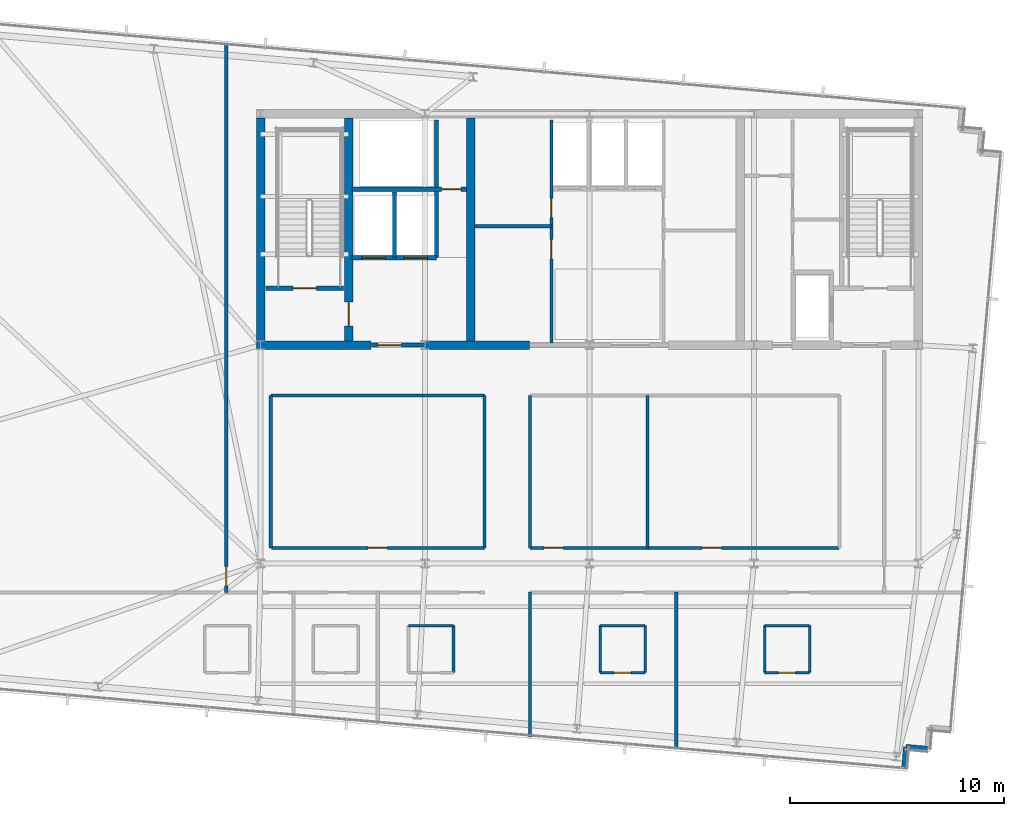
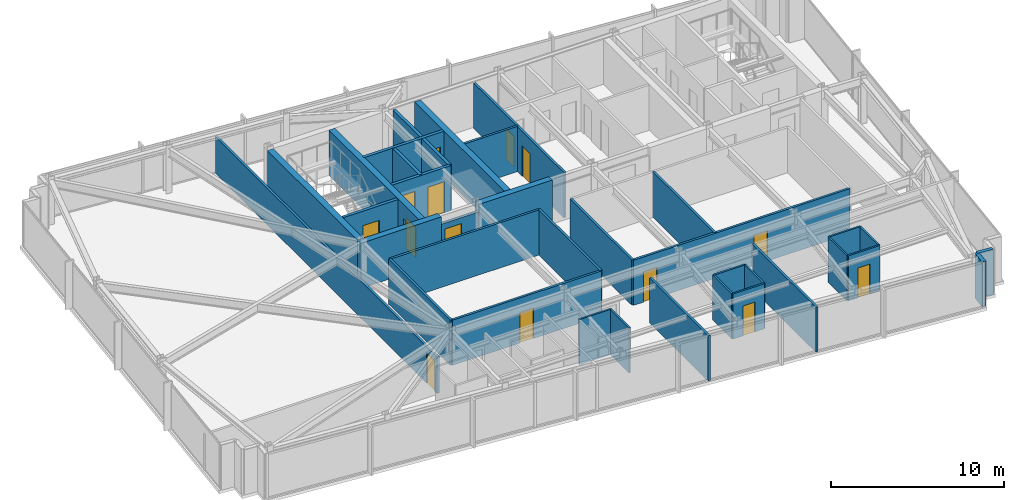
# One storey, part 27 of 33: 35 walls, 14 doors, 14 openings.
"""IFC4 building model written with IfcOpenShell, lengths in metres."""

from ifc_helpers import new_model, si_unit, direction, frame, frame_2d, origin, place, context, subcontext, project, spatial, rectangle, extrude, material, layer, layer_set, type_object, element, fill, save


model = new_model("IFC4")

# Units and contexts
model_context = context("Model", 3, precision=1e-05, world=origin(), true_north=direction((0.0, 1.0)))
body_context = subcontext(model_context, "Body", "Model", "MODEL_VIEW")
ifc_project = project(units=[si_unit("LENGTHUNIT", "METRE"), si_unit("AREAUNIT", "SQUARE_METRE"), si_unit("VOLUMEUNIT", "CUBIC_METRE"), si_unit("PLANEANGLEUNIT", "RADIAN"), si_unit("MASSUNIT", "GRAM", prefix="KILO")], contexts=[model_context])

# Site, building, storey
site_placement = place(None, origin())
site = spatial("IfcSite", under=ifc_project, at=site_placement, CompositionType="ELEMENT")
building_placement = place(site_placement, origin())
building = spatial("IfcBuilding", under=site, at=building_placement, Name="Yelkora Congress Tower", CompositionType="ELEMENT")
storey_placement = place(building_placement, frame((0.0, 0.0, 282.89990234375)))
storey = spatial("IfcBuildingStorey", under=building, at=storey_placement, Name="L79", CompositionType="ELEMENT", Elevation=282.89990234375)

# Walls
ifc_material_1 = material(Name="Concrete C50/60", Category="concrete")
ifc_layer_1 = layer(ifc_material_1, 0.39990234375)
ifc_layer_set_1 = layer_set([ifc_layer_1], Name="Concrete C50/60")
wall_type_1 = type_object("IfcWallType", Name="WALL-CORE-INT-400", PredefinedType="SHEAR", material=ifc_layer_set_1)
wall_1_placement = place(storey_placement, frame((22.840087890625, 35.39990234375, 0.0), z_axis=(0.0, 0.0, 1.0), x_axis=(1.0, 0.0, 0.0)))
element("IfcWall", 1, at=wall_1_placement, inside=storey, type_object=wall_type_1, Name="L79 Rear Core South-West Shear Wall", PredefinedType="SHEAR", context=body_context, shape_type="SweptSolid", body=[
    extrude(rectangle(XDim=5.35986328125, YDim=0.39990234375, at=frame_2d((2.679931640625, 0.0))), origin(), (0.0, 0.0, 1.0), 3.18017578125),
])
wall_2_placement = place(storey_placement, frame((30.719970703125, 35.39990234375, 0.0), z_axis=(0.0, 0.0, 1.0), x_axis=(1.0, 0.0, 0.0)))
element("IfcWall", 2, at=wall_2_placement, inside=storey, type_object=wall_type_1, Name="L79 Rear Core South-Center Shear Pier", PredefinedType="SHEAR", context=body_context, shape_type="SweptSolid", body=[
    extrude(rectangle(XDim=4.880126953125, YDim=0.39990234375, at=frame_2d((2.43994140625, 0.0))), origin(), (0.0, 0.0, 1.0), 3.18017578125),
])
wall_3_placement = place(storey_placement, frame((23.0400390625, 35.60009765625, 0.0), z_axis=(0.0, 0.0, 1.0), x_axis=(0.0, 1.0, 0.0)))
element("IfcWall", 3, at=wall_3_placement, inside=storey, type_object=wall_type_1, Name="L79 Rear Core Cross Shear Wall W", PredefinedType="SHEAR", context=body_context, shape_type="SweptSolid", body=[
    extrude(rectangle(XDim=10.39990234375, YDim=0.39990234375, at=frame_2d((5.199951171875, 0.0))), origin(), (0.0, 0.0, 1.0), 3.18017578125),
])

# Wall, opening, door
wall_4_placement = place(storey_placement, frame((27.14990234375, 35.60009765625, 0.0), z_axis=(0.0, 0.0, 1.0), x_axis=(0.0, 1.0, 0.0)))
wall_4 = element("IfcWall", 4, at=wall_4_placement, inside=storey, type_object=wall_type_1, Name="L79 Rear Core Cross Shear Wall C1", PredefinedType="SHEAR", context=body_context, shape_type="SweptSolid", body=[
    extrude(rectangle(XDim=10.39990234375, YDim=0.39990234375, at=frame_2d((5.199951171875, 0.0))), origin(), (0.0, 0.0, 1.0), 3.18017578125),
])
opening_1_placement = place(wall_4_placement, frame((0.699951171875, 0.0, 0.0)))
opening_1 = element("IfcOpeningElement", 5, at=opening_1_placement, cuts=wall_4, Name="Opening DR-110F9", PredefinedType="OPENING", context=body_context, shape_type="SweptSolid", body=[
    extrude(rectangle(XDim=1.10009765625, YDim=2.14990234375, at=frame_2d((0.550048828125, 1.074951171875))), frame((0.0, 0.2099609375, 0.0), z_axis=(0.0, -1.0, 0.0), x_axis=(1.0, 0.0, 0.0)), (0.0, 0.0, 1.0), 0.419921875),
])
ifc_material_2 = material(Name="Galvanised steel fire door leaf", Category="steel")
door_type_1 = type_object("IfcDoorType", Name="DOOR-FD90-1100", OperationType="NOTDEFINED", PredefinedType="DOOR", material=ifc_material_2)
door_1_placement = place(opening_1_placement, origin())
door_1 = element("IfcDoor", 6, at=door_1_placement, inside=storey, type_object=door_type_1, Name="L79 Firefighting Stair Transfer Door", OperationType="SINGLE_SWING_LEFT", OverallHeight=2.14990234375, OverallWidth=1.10009765625, PredefinedType="DOOR", context=body_context, shape_type="SweptSolid", body=[
    extrude(rectangle(XDim=1.10009765625, YDim=2.14990234375, at=frame_2d((0.550048828125, 1.074951171875))), frame((0.0, 0.02490234375, 0.0), z_axis=(0.0, -1.0, 0.0), x_axis=(1.0, 0.0, 0.0)), (0.0, 0.0, 1.0), 0.050048828125),
])
fill(opening_1, door_1)

# Walls
wall_5_placement = place(storey_placement, frame((32.85009765625, 35.60009765625, 0.0), z_axis=(0.0, 0.0, 1.0), x_axis=(0.0, 1.0, 0.0)))
element("IfcWall", 7, at=wall_5_placement, inside=storey, type_object=wall_type_1, Name="L79 Rear Core Cross Shear Wall C2", PredefinedType="SHEAR", context=body_context, shape_type="SweptSolid", body=[
    extrude(rectangle(XDim=10.39990234375, YDim=0.39990234375, at=frame_2d((5.199951171875, 0.0))), origin(), (0.0, 0.0, 1.0), 3.18017578125),
])
ifc_material_3 = material(Name="Concrete C40/50", Category="concrete")
ifc_layer_2 = layer(ifc_material_3, 0.239990234375)
ifc_layer_set_2 = layer_set([ifc_layer_2], Name="Concrete C40/50")
wall_type_2 = type_object("IfcWallType", Name="WALL-EXT-LIMESTONE-240", PredefinedType="SOLIDWALL", material=ifc_layer_set_2)
for number, where, z_axis, x_axis, name in (
    (8, (54.174560546875, 16.5498046875, 0.0), (0.0, 0.0, 1.0), (-0.996195572005, 0.087145753297, 0.0), "L79 Serrated Corner Limestone Pier 18"),
    (9, (53.17822265625, 16.636962890625, 0.0), (0.0, 0.0, 1.0), (-0.087145753297, -0.996195572005, 0.0), "L79 Serrated Corner Limestone Pier 19"),
):
    element("IfcWall", number, at=place(storey_placement, frame(where, z_axis=z_axis, x_axis=x_axis)), inside=storey, type_object=wall_type_2, Name=name, PredefinedType="SOLIDWALL", context=body_context, shape_type="SweptSolid", body=[
        extrude(rectangle(XDim=1.000244140625, YDim=0.239990234375, at=frame_2d((0.5, 0.0))), origin(), (0.0, 0.0, 1.0), 3.18017578125),
    ])
ifc_material_4 = material(Name="Moisture-resistant gypsum partition", Category="gypsum")
ifc_layer_3 = layer(ifc_material_4, 0.1201171875)
ifc_layer_set_3 = layer_set([ifc_layer_3], Name="Moisture-resistant gypsum partition")
wall_type_3 = type_object("IfcWallType", Name="WALL-INT-120-NR", PredefinedType="PARTITIONING", material=ifc_layer_set_3)
wall_6_placement = place(storey_placement, frame((29.949951171875, 22.300048828125, 0.0), z_axis=(0.0, 0.0, 1.0), x_axis=(1.0, 0.0, 0.0)))
element("IfcWall", 10, at=wall_6_placement, inside=storey, type_object=wall_type_3, Name="L79 Partition Wall 32", PredefinedType="PARTITIONING", context=body_context, shape_type="SweptSolid", body=[
    extrude(rectangle(XDim=2.10009765625, YDim=0.1201171875, at=frame_2d((1.050048828125, 0.0))), origin(), (0.0, 0.0, 1.0), 3.18017578125),
])
wall_7_placement = place(storey_placement, frame((32.050048828125, 20.10009765625, 0.0), z_axis=(0.0, 0.0, 1.0), x_axis=(0.0, 1.0, 0.0)))
element("IfcWall", 11, at=wall_7_placement, inside=storey, type_object=wall_type_3, Name="L79 Partition Wall 34", PredefinedType="PARTITIONING", context=body_context, shape_type="SweptSolid", body=[
    extrude(rectangle(XDim=2.199951171875, YDim=0.1201171875, at=frame_2d((1.10009765625, 0.0))), origin(), (0.0, 0.0, 1.0), 3.18017578125),
])
wall_8_placement = place(storey_placement, frame((38.89990234375, 22.300048828125, 0.0), z_axis=(0.0, 0.0, 1.0), x_axis=(1.0, 0.0, 0.0)))
element("IfcWall", 12, at=wall_8_placement, inside=storey, type_object=wall_type_3, Name="L79 Partition Wall 37", PredefinedType="PARTITIONING", context=body_context, shape_type="SweptSolid", body=[
    extrude(rectangle(XDim=2.10009765625, YDim=0.1201171875, at=frame_2d((1.050048828125, 0.0))), origin(), (0.0, 0.0, 1.0), 3.18017578125),
])
for number, where, z_axis, x_axis, name in (
    (13, (38.89990234375, 20.10009765625, 0.0), (0.0, 0.0, 1.0), (0.0, 1.0, 0.0), "L79 Partition Wall 38"),
    (14, (41.0, 20.10009765625, 0.0), (0.0, 0.0, 1.0), (0.0, 1.0, 0.0), "L79 Partition Wall 39"),
):
    element("IfcWall", number, at=place(storey_placement, frame(where, z_axis=z_axis, x_axis=x_axis)), inside=storey, type_object=wall_type_3, Name=name, PredefinedType="PARTITIONING", context=body_context, shape_type="SweptSolid", body=[
        extrude(rectangle(XDim=2.199951171875, YDim=0.1201171875, at=frame_2d((1.10009765625, 0.0))), origin(), (0.0, 0.0, 1.0), 3.18017578125),
    ])

# Wall, opening, door
wall_9_placement = place(storey_placement, frame((38.89990234375, 20.10009765625, 0.0), z_axis=(0.0, 0.0, 1.0), x_axis=(1.0, 0.0, 0.0)))
wall_9 = element("IfcWall", 15, at=wall_9_placement, inside=storey, type_object=wall_type_3, Name="L79 Partition Wall 40", PredefinedType="PARTITIONING", context=body_context, shape_type="SweptSolid", body=[
    extrude(rectangle(XDim=2.10009765625, YDim=0.1201171875, at=frame_2d((1.050048828125, 0.0))), origin(), (0.0, 0.0, 1.0), 3.18017578125),
])
opening_2_placement = place(wall_9_placement, frame((0.64990234375, 0.0, 0.0)))
opening_2 = element("IfcOpeningElement", 16, at=opening_2_placement, cuts=wall_9, Name="Opening DR-080B", PredefinedType="OPENING", context=body_context, shape_type="SweptSolid", body=[
    extrude(rectangle(XDim=0.800048828125, YDim=2.10009765625, at=frame_2d((0.39990234375, 1.050048828125))), frame((0.0, 0.070068359375, 0.0), z_axis=(0.0, -1.0, 0.0), x_axis=(1.0, 0.0, 0.0)), (0.0, 0.0, 1.0), 0.14013671875),
])
ifc_material_5 = material(Name="Moisture-sealed en-suite timber door", Category="wood")
door_type_2 = type_object("IfcDoorType", Name="DOOR-BATH-800", OperationType="NOTDEFINED", PredefinedType="DOOR", material=ifc_material_5)
door_2_placement = place(opening_2_placement, origin())
door_2 = element("IfcDoor", 17, at=door_2_placement, inside=storey, type_object=door_type_2, Name="L79 En-suite Door 5", OperationType="SINGLE_SWING_LEFT", OverallHeight=2.10009765625, OverallWidth=0.800048828125, PredefinedType="DOOR", context=body_context, shape_type="SweptSolid", body=[
    extrude(rectangle(XDim=0.800048828125, YDim=2.10009765625, at=frame_2d((0.39990234375, 1.050048828125))), frame((0.0, 0.02490234375, 0.0), z_axis=(0.0, -1.0, 0.0), x_axis=(1.0, 0.0, 0.0)), (0.0, 0.0, 1.0), 0.050048828125),
])
fill(opening_2, door_2)

# Walls
wall_10_placement = place(storey_placement, frame((46.580078125, 22.300048828125, 0.0), z_axis=(0.0, 0.0, 1.0), x_axis=(1.0, 0.0, 0.0)))
element("IfcWall", 18, at=wall_10_placement, inside=storey, type_object=wall_type_3, Name="L79 Partition Wall 42", PredefinedType="PARTITIONING", context=body_context, shape_type="SweptSolid", body=[
    extrude(rectangle(XDim=2.099853515625, YDim=0.1201171875, at=frame_2d((1.0498046875, 0.0))), origin(), (0.0, 0.0, 1.0), 3.18017578125),
])
for number, where, z_axis, x_axis, name in (
    (19, (46.580078125, 20.10009765625, 0.0), (0.0, 0.0, 1.0), (0.0, 1.0, 0.0), "L79 Partition Wall 43"),
    (20, (48.679931640625, 20.10009765625, 0.0), (0.0, 0.0, 1.0), (0.0, 1.0, 0.0), "L79 Partition Wall 44"),
):
    element("IfcWall", number, at=place(storey_placement, frame(where, z_axis=z_axis, x_axis=x_axis)), inside=storey, type_object=wall_type_3, Name=name, PredefinedType="PARTITIONING", context=body_context, shape_type="SweptSolid", body=[
        extrude(rectangle(XDim=2.199951171875, YDim=0.1201171875, at=frame_2d((1.10009765625, 0.0))), origin(), (0.0, 0.0, 1.0), 3.18017578125),
    ])

# Wall, opening, door
wall_11_placement = place(storey_placement, frame((46.580078125, 20.10009765625, 0.0), z_axis=(0.0, 0.0, 1.0), x_axis=(1.0, 0.0, 0.0)))
wall_11 = element("IfcWall", 21, at=wall_11_placement, inside=storey, type_object=wall_type_3, Name="L79 Partition Wall 45", PredefinedType="PARTITIONING", context=body_context, shape_type="SweptSolid", body=[
    extrude(rectangle(XDim=2.099853515625, YDim=0.1201171875, at=frame_2d((1.0498046875, 0.0))), origin(), (0.0, 0.0, 1.0), 3.18017578125),
])
opening_3_placement = place(wall_11_placement, frame((0.64990234375, 0.0, 0.0)))
opening_3 = element("IfcOpeningElement", 22, at=opening_3_placement, cuts=wall_11, Name="Opening DR-080B", PredefinedType="OPENING", context=body_context, shape_type="SweptSolid", body=[
    extrude(rectangle(XDim=0.800048828125, YDim=2.10009765625, at=frame_2d((0.39990234375, 1.050048828125))), frame((0.0, 0.070068359375, 0.0), z_axis=(0.0, -1.0, 0.0), x_axis=(1.0, 0.0, 0.0)), (0.0, 0.0, 1.0), 0.14013671875),
])
door_3_placement = place(opening_3_placement, origin())
door_3 = element("IfcDoor", 23, at=door_3_placement, inside=storey, type_object=door_type_2, Name="L79 En-suite Door 6", OperationType="SINGLE_SWING_RIGHT", OverallHeight=2.10009765625, OverallWidth=0.800048828125, PredefinedType="DOOR", context=body_context, shape_type="SweptSolid", body=[
    extrude(rectangle(XDim=0.800048828125, YDim=2.10009765625, at=frame_2d((0.39990234375, 1.050048828125))), frame((0.0, 0.02490234375, 0.0), z_axis=(0.0, -1.0, 0.0), x_axis=(1.0, 0.0, 0.0)), (0.0, 0.0, 1.0), 0.050048828125),
])
fill(opening_3, door_3)

ifc_material_6 = material(Name="Acoustic metal-stud gypsum partition", Category="gypsum")
ifc_layer_4 = layer(ifc_material_6, 0.14990234375)
ifc_layer_set_4 = layer_set([ifc_layer_4], Name="Acoustic metal-stud gypsum partition")
wall_type_4 = type_object("IfcWallType", Name="WALL-INT-150-NR", PredefinedType="PARTITIONING", material=ifc_layer_set_4)
wall_12_placement = place(storey_placement, frame((21.43994140625, 23.85009765625, 0.0), z_axis=(0.0, 0.0, 1.0), x_axis=(0.0, 1.0, 0.0)))
wall_12 = element("IfcWall", 24, at=wall_12_placement, inside=storey, type_object=wall_type_4, Name="L79 Partition Wall 49", PredefinedType="PARTITIONING", context=body_context, shape_type="SweptSolid", body=[
    extrude(rectangle(XDim=25.658203125, YDim=0.14990234375, at=frame_2d((12.8291015625, 0.0))), origin(), (0.0, 0.0, 1.0), 2.5751953125),
])
opening_4_placement = place(wall_12_placement, frame((0.300048828125, 0.0, 0.0)))
opening_4 = element("IfcOpeningElement", 25, at=opening_4_placement, cuts=wall_12, Name="Opening DR-090N", PredefinedType="OPENING", context=body_context, shape_type="SweptSolid", body=[
    extrude(rectangle(XDim=0.89990234375, YDim=2.14990234375, at=frame_2d((0.449951171875, 1.074951171875))), frame((0.0, 0.0849609375, 0.0), z_axis=(0.0, -1.0, 0.0), x_axis=(1.0, 0.0, 0.0)), (0.0, 0.0, 1.0), 0.169921875),
])
ifc_material_7 = material(Name="Moisture-resistant laminate door leaf", Category="wood")
door_type_3 = type_object("IfcDoorType", Name="DOOR-INT-900", OperationType="NOTDEFINED", PredefinedType="DOOR", material=ifc_material_7)
door_4_placement = place(opening_4_placement, origin())
door_4 = element("IfcDoor", 26, at=door_4_placement, inside=storey, type_object=door_type_3, Name="L79 W Wing Door", OperationType="SINGLE_SWING_RIGHT", OverallHeight=2.14990234375, OverallWidth=0.89990234375, PredefinedType="DOOR", context=body_context, shape_type="SweptSolid", body=[
    extrude(rectangle(XDim=0.89990234375, YDim=2.14990234375, at=frame_2d((0.449951171875, 1.074951171875))), frame((0.0, 0.02490234375, 0.0), z_axis=(0.0, -1.0, 0.0), x_axis=(1.0, 0.0, 0.0)), (0.0, 0.0, 1.0), 0.050048828125),
])
fill(opening_4, door_4)

# Walls
for number, where, z_axis, x_axis, name in (
    (27, (23.52001953125, 25.929931640625, 0.0), (0.0, 0.0, 1.0), (0.0, 1.0, 0.0), "L79 Partition Wall 51"),
    (28, (33.5, 25.929931640625, 0.0), (0.0, 0.0, 1.0), (0.0, 1.0, 0.0), "L79 Partition Wall 53"),
    (29, (35.6201171875, 25.929931640625, 0.0), (0.0, 0.0, 1.0), (0.0, 1.0, 0.0), "L79 Partition Wall 54"),
):
    element("IfcWall", number, at=place(storey_placement, frame(where, z_axis=z_axis, x_axis=x_axis)), inside=storey, type_object=wall_type_4, Name=name, PredefinedType="PARTITIONING", context=body_context, shape_type="SweptSolid", body=[
        extrude(rectangle(XDim=7.1201171875, YDim=0.14990234375, at=frame_2d((3.56005859375, 0.0))), origin(), (0.0, 0.0, 1.0), 3.18017578125),
    ])
wall_13_placement = place(storey_placement, frame((23.52001953125, 33.050048828125, 0.0), z_axis=(0.0, 0.0, 1.0), x_axis=(1.0, 0.0, 0.0)))
element("IfcWall", 30, at=wall_13_placement, inside=storey, type_object=wall_type_4, Name="L79 Partition Wall 55", PredefinedType="PARTITIONING", context=body_context, shape_type="SweptSolid", body=[
    extrude(rectangle(XDim=9.97998046875, YDim=0.14990234375, at=frame_2d((4.989990234375, 0.0))), origin(), (0.0, 0.0, 1.0), 3.18017578125),
])

# Wall, opening, door
wall_14_placement = place(storey_placement, frame((23.5400390625, 25.929931640625, 0.0), z_axis=(0.0, 0.0, 1.0), x_axis=(1.0, 0.0, 0.0)))
wall_14 = element("IfcWall", 31, at=wall_14_placement, inside=storey, type_object=wall_type_4, Name="L79 Partition Wall 57", PredefinedType="PARTITIONING", context=body_context, shape_type="SweptSolid", body=[
    extrude(rectangle(XDim=9.949951171875, YDim=0.14990234375, at=frame_2d((4.97509765625, 0.0))), origin(), (0.0, 0.0, 1.0), 3.18017578125),
])
opening_5_placement = place(wall_14_placement, frame((4.52490234375, 0.0, 0.0)))
opening_5 = element("IfcOpeningElement", 32, at=opening_5_placement, cuts=wall_14, Name="Opening DR-090N", PredefinedType="OPENING", context=body_context, shape_type="SweptSolid", body=[
    extrude(rectangle(XDim=0.89990234375, YDim=2.14990234375, at=frame_2d((0.449951171875, 1.074951171875))), frame((0.0, 0.0849609375, 0.0), z_axis=(0.0, -1.0, 0.0), x_axis=(1.0, 0.0, 0.0)), (0.0, 0.0, 1.0), 0.169921875),
])
door_5_placement = place(opening_5_placement, origin())
door_5 = element("IfcDoor", 33, at=door_5_placement, inside=storey, type_object=door_type_3, Name="L79 Housekeeping & Linen Room Door", OperationType="SINGLE_SWING_RIGHT", OverallHeight=2.14990234375, OverallWidth=0.89990234375, PredefinedType="DOOR", context=body_context, shape_type="SweptSolid", body=[
    extrude(rectangle(XDim=0.89990234375, YDim=2.14990234375, at=frame_2d((0.449951171875, 1.074951171875))), frame((0.0, 0.02490234375, 0.0), z_axis=(0.0, -1.0, 0.0), x_axis=(1.0, 0.0, 0.0)), (0.0, 0.0, 1.0), 0.050048828125),
])
fill(opening_5, door_5)

# Wall
wall_15_placement = place(storey_placement, frame((41.113037109375, 25.929931640625, 0.0), z_axis=(0.0, 0.0, 1.0), x_axis=(0.0, 1.0, 0.0)))
element("IfcWall", 34, at=wall_15_placement, inside=storey, type_object=wall_type_4, Name="L79 Partition Wall 58", PredefinedType="PARTITIONING", context=body_context, shape_type="SweptSolid", body=[
    extrude(rectangle(XDim=7.1201171875, YDim=0.14990234375, at=frame_2d((3.56005859375, 0.0))), origin(), (0.0, 0.0, 1.0), 3.18017578125),
])

# Wall, openings, doors
wall_16_placement = place(storey_placement, frame((35.6298828125, 25.929931640625, 0.0), z_axis=(0.0, 0.0, 1.0), x_axis=(1.0, 0.0, 0.0)))
wall_16 = element("IfcWall", 35, at=wall_16_placement, inside=storey, type_object=wall_type_4, Name="L79 Partition Wall 59", PredefinedType="PARTITIONING", context=body_context, shape_type="SweptSolid", body=[
    extrude(rectangle(XDim=14.43017578125, YDim=0.14990234375, at=frame_2d((7.215087890625, 0.0))), origin(), (0.0, 0.0, 1.0), 3.18017578125),
])
opening_6_placement = place(wall_16_placement, frame((0.64990234375, 0.0, 0.0)))
opening_6 = element("IfcOpeningElement", 36, at=opening_6_placement, cuts=wall_16, Name="Opening DR-090N", PredefinedType="OPENING", context=body_context, shape_type="SweptSolid", body=[
    extrude(rectangle(XDim=0.89990234375, YDim=2.14990234375, at=frame_2d((0.449951171875, 1.074951171875))), frame((0.0, 0.0849609375, 0.0), z_axis=(0.0, -1.0, 0.0), x_axis=(1.0, 0.0, 0.0)), (0.0, 0.0, 1.0), 0.169921875),
])
opening_7_placement = place(wall_16_placement, frame((8.030517578125, 0.0, 0.0)))
opening_7 = element("IfcOpeningElement", 37, at=opening_7_placement, cuts=wall_16, Name="Opening DR-090N", PredefinedType="OPENING", context=body_context, shape_type="SweptSolid", body=[
    extrude(rectangle(XDim=0.89990234375, YDim=2.14990234375, at=frame_2d((0.449951171875, 1.074951171875))), frame((0.0, 0.0849609375, 0.0), z_axis=(0.0, -1.0, 0.0), x_axis=(1.0, 0.0, 0.0)), (0.0, 0.0, 1.0), 0.169921875),
])
door_6_placement = place(opening_6_placement, origin())
door_6 = element("IfcDoor", 38, at=door_6_placement, inside=storey, type_object=door_type_3, Name="L79 Executive Library Door", OperationType="SINGLE_SWING_LEFT", OverallHeight=2.14990234375, OverallWidth=0.89990234375, PredefinedType="DOOR", context=body_context, shape_type="SweptSolid", body=[
    extrude(rectangle(XDim=0.89990234375, YDim=2.14990234375, at=frame_2d((0.449951171875, 1.074951171875))), frame((0.0, 0.02490234375, 0.0), z_axis=(0.0, -1.0, 0.0), x_axis=(1.0, 0.0, 0.0)), (0.0, 0.0, 1.0), 0.050048828125),
])
fill(opening_6, door_6)
door_7_placement = place(opening_7_placement, origin())
door_7 = element("IfcDoor", 39, at=door_7_placement, inside=storey, type_object=door_type_3, Name="L79 Delegate Kiosk Door", OperationType="SINGLE_SWING_RIGHT", OverallHeight=2.14990234375, OverallWidth=0.89990234375, PredefinedType="DOOR", context=body_context, shape_type="SweptSolid", body=[
    extrude(rectangle(XDim=0.89990234375, YDim=2.14990234375, at=frame_2d((0.449951171875, 1.074951171875))), frame((0.0, 0.02490234375, 0.0), z_axis=(0.0, -1.0, 0.0), x_axis=(1.0, 0.0, 0.0)), (0.0, 0.0, 1.0), 0.050048828125),
])
fill(opening_7, door_7)

# Wall
ifc_material_8 = material(Name="Twin-stud fire-rated gypsum partition", Category="gypsum")
ifc_layer_5 = layer(ifc_material_8, 0.14990234375)
ifc_layer_set_5 = layer_set([ifc_layer_5], Name="Twin-stud fire-rated gypsum partition")
wall_type_5 = type_object("IfcWallType", Name="WALL-INT-150-R60", PredefinedType="PARTITIONING", material=ifc_layer_set_5)
wall_17_placement = place(storey_placement, frame((33.050048828125, 40.949951171875, 0.0), z_axis=(0.0, 0.0, 1.0), x_axis=(1.0, 0.0, 0.0)))
element("IfcWall", 40, at=wall_17_placement, inside=storey, type_object=wall_type_5, Name="L79 Partition Wall 11", PredefinedType="PARTITIONING", context=body_context, shape_type="SweptSolid", body=[
    extrude(rectangle(XDim=3.570068359375, YDim=0.14990234375, at=frame_2d((1.78515625, 0.0))), origin(), (0.0, 0.0, 1.0), 3.18017578125),
])

# Wall, openings, doors
wall_18_placement = place(storey_placement, frame((36.6201171875, 35.5, 0.0), z_axis=(0.0, 0.0, 1.0), x_axis=(0.0, 1.0, 0.0)))
wall_18 = element("IfcWall", 41, at=wall_18_placement, inside=storey, type_object=wall_type_5, Name="L79 Partition Wall 12", PredefinedType="PARTITIONING", context=body_context, shape_type="SweptSolid", body=[
    extrude(rectangle(XDim=10.419921875, YDim=0.14990234375, at=frame_2d((5.2099609375, 0.0))), origin(), (0.0, 0.0, 1.0), 3.18017578125),
])
opening_8_placement = place(wall_18_placement, frame((3.919921875, 0.0, 0.0)))
opening_8 = element("IfcOpeningElement", 42, at=opening_8_placement, cuts=wall_18, Name="Opening DR-090F6", PredefinedType="OPENING", context=body_context, shape_type="SweptSolid", body=[
    extrude(rectangle(XDim=0.89990234375, YDim=2.14990234375, at=frame_2d((0.449951171875, 1.074951171875))), frame((0.0, 0.0849609375, 0.0), z_axis=(0.0, -1.0, 0.0), x_axis=(1.0, 0.0, 0.0)), (0.0, 0.0, 1.0), 0.169921875),
])
opening_9_placement = place(wall_18_placement, frame((5.85009765625, 0.0, 0.0)))
opening_9 = element("IfcOpeningElement", 43, at=opening_9_placement, cuts=wall_18, Name="Opening DR-090F6", PredefinedType="OPENING", context=body_context, shape_type="SweptSolid", body=[
    extrude(rectangle(XDim=0.89990234375, YDim=2.14990234375, at=frame_2d((0.449951171875, 1.074951171875))), frame((0.0, 0.0849609375, 0.0), z_axis=(0.0, -1.0, 0.0), x_axis=(1.0, 0.0, 0.0)), (0.0, 0.0, 1.0), 0.169921875),
])
ifc_material_9 = material(Name="Painted steel riser fire door leaf", Category="steel")
door_type_4 = type_object("IfcDoorType", Name="DOOR-FD60-900", OperationType="NOTDEFINED", PredefinedType="DOOR", material=ifc_material_9)
door_8_placement = place(opening_8_placement, origin())
door_8 = element("IfcDoor", 44, at=door_8_placement, inside=storey, type_object=door_type_4, Name="L79 Telecom Store Door", OperationType="SINGLE_SWING_RIGHT", OverallHeight=2.14990234375, OverallWidth=0.89990234375, PredefinedType="DOOR", context=body_context, shape_type="SweptSolid", body=[
    extrude(rectangle(XDim=0.89990234375, YDim=2.14990234375, at=frame_2d((0.449951171875, 1.074951171875))), frame((0.0, 0.02490234375, 0.0), z_axis=(0.0, -1.0, 0.0), x_axis=(1.0, 0.0, 0.0)), (0.0, 0.0, 1.0), 0.050048828125),
])
fill(opening_8, door_8)
door_9_placement = place(opening_9_placement, origin())
door_9 = element("IfcDoor", 45, at=door_9_placement, inside=storey, type_object=door_type_4, Name="L79 Archive Store Door", OperationType="SINGLE_SWING_LEFT", OverallHeight=2.14990234375, OverallWidth=0.89990234375, PredefinedType="DOOR", context=body_context, shape_type="SweptSolid", body=[
    extrude(rectangle(XDim=0.89990234375, YDim=2.14990234375, at=frame_2d((0.449951171875, 1.074951171875))), frame((0.0, 0.02490234375, 0.0), z_axis=(0.0, -1.0, 0.0), x_axis=(1.0, 0.0, 0.0)), (0.0, 0.0, 1.0), 0.050048828125),
])
fill(opening_9, door_9)

# Walls
wall_19_placement = place(storey_placement, frame((35.6201171875, 17.10888671875, 0.0), z_axis=(0.0, 0.0, 1.0), x_axis=(0.0, 1.0, 0.0)))
element("IfcWall", 46, at=wall_19_placement, inside=storey, type_object=wall_type_5, Name="L79 Partition Wall 41", PredefinedType="PARTITIONING", context=body_context, shape_type="SweptSolid", body=[
    extrude(rectangle(XDim=6.76123046875, YDim=0.14990234375, at=frame_2d((3.380615234375, 0.0))), origin(), (0.0, 0.0, 1.0), 3.18017578125),
])
wall_20_placement = place(storey_placement, frame((42.4560546875, 16.510986328125, 0.0), z_axis=(0.0, 0.0, 1.0), x_axis=(0.0, 1.0, 0.0)))
element("IfcWall", 47, at=wall_20_placement, inside=storey, type_object=wall_type_5, Name="L79 Partition Wall 46", PredefinedType="PARTITIONING", context=body_context, shape_type="SweptSolid", body=[
    extrude(rectangle(XDim=7.359130859375, YDim=0.14990234375, at=frame_2d((3.6796875, 0.0))), origin(), (0.0, 0.0, 1.0), 3.18017578125),
])

# Wall, opening, door
ifc_material_10 = material(Name="Autoclaved aerated concrete blockwork", Category="masonry")
ifc_layer_6 = layer(ifc_material_10, 0.199951171875)
ifc_layer_set_6 = layer_set([ifc_layer_6], Name="Autoclaved aerated concrete blockwork")
wall_type_6 = type_object("IfcWallType", Name="WALL-INT-200-R120", PredefinedType="PARTITIONING", material=ifc_layer_set_6)
wall_21_placement = place(storey_placement, frame((23.300048828125, 38.050048828125, 0.0), z_axis=(0.0, 0.0, 1.0), x_axis=(1.0, 0.0, 0.0)))
wall_21 = element("IfcWall", 48, at=wall_21_placement, inside=storey, type_object=wall_type_6, Name="L79 Stair ST-01 Enclosure Wall", PredefinedType="PARTITIONING", context=body_context, shape_type="SweptSolid", body=[
    extrude(rectangle(XDim=3.619873046875, YDim=0.199951171875, at=frame_2d((1.81005859375, 0.0))), origin(), (0.0, 0.0, 1.0), 3.18017578125),
])
opening_10_placement = place(wall_21_placement, frame((1.260009765625, 0.0, 0.0)))
opening_10 = element("IfcOpeningElement", 49, at=opening_10_placement, cuts=wall_21, Name="Opening DR-110F9", PredefinedType="OPENING", context=body_context, shape_type="SweptSolid", body=[
    extrude(rectangle(XDim=1.10009765625, YDim=2.14990234375, at=frame_2d((0.550048828125, 1.074951171875))), frame((0.0, 0.10986328125, 0.0), z_axis=(0.0, -1.0, 0.0), x_axis=(1.0, 0.0, 0.0)), (0.0, 0.0, 1.0), 0.219970703125),
])
door_10_placement = place(opening_10_placement, origin())
door_10 = element("IfcDoor", 50, at=door_10_placement, inside=storey, type_object=door_type_1, Name="L79 Stair ST-01 Entry Door", OperationType="SINGLE_SWING_LEFT", OverallHeight=2.14990234375, OverallWidth=1.10009765625, PredefinedType="DOOR", context=body_context, shape_type="SweptSolid", body=[
    extrude(rectangle(XDim=1.10009765625, YDim=2.14990234375, at=frame_2d((0.550048828125, 1.074951171875))), frame((0.0, 0.02490234375, 0.0), z_axis=(0.0, -1.0, 0.0), x_axis=(1.0, 0.0, 0.0)), (0.0, 0.0, 1.0), 0.050048828125),
])
fill(opening_10, door_10)

wall_22_placement = place(storey_placement, frame((28.219970703125, 35.39990234375, 0.0), z_axis=(0.0, 0.0, 1.0), x_axis=(1.0, 0.0, 0.0)))
wall_22 = element("IfcWall", 51, at=wall_22_placement, inside=storey, type_object=wall_type_6, Name="L79 Firefighting Lobby South Wall", PredefinedType="PARTITIONING", context=body_context, shape_type="SweptSolid", body=[
    extrude(rectangle(XDim=2.5, YDim=0.199951171875, at=frame_2d((1.25, 0.0))), origin(), (0.0, 0.0, 1.0), 2.5751953125),
])
opening_11_placement = place(wall_22_placement, frame((0.300048828125, 0.0, 0.0)))
opening_11 = element("IfcOpeningElement", 52, at=opening_11_placement, cuts=wall_22, Name="Opening DR-110F9", PredefinedType="OPENING", context=body_context, shape_type="SweptSolid", body=[
    extrude(rectangle(XDim=1.10009765625, YDim=2.14990234375, at=frame_2d((0.550048828125, 1.074951171875))), frame((0.0, 0.10986328125, 0.0), z_axis=(0.0, -1.0, 0.0), x_axis=(1.0, 0.0, 0.0)), (0.0, 0.0, 1.0), 0.219970703125),
])
door_11_placement = place(opening_11_placement, origin())
door_11 = element("IfcDoor", 53, at=door_11_placement, inside=storey, type_object=door_type_1, Name="L79 Firefighting Lobby Corridor Door", OperationType="SINGLE_SWING_RIGHT", OverallHeight=2.14990234375, OverallWidth=1.10009765625, PredefinedType="DOOR", context=body_context, shape_type="SweptSolid", body=[
    extrude(rectangle(XDim=1.10009765625, YDim=2.14990234375, at=frame_2d((0.550048828125, 1.074951171875))), frame((0.0, 0.02490234375, 0.0), z_axis=(0.0, -1.0, 0.0), x_axis=(1.0, 0.0, 0.0)), (0.0, 0.0, 1.0), 0.050048828125),
])
fill(opening_11, door_11)

# Wall, openings, doors
wall_23_placement = place(storey_placement, frame((27.320068359375, 39.47998046875, 0.0), z_axis=(0.0, 0.0, 1.0), x_axis=(1.0, 0.0, 0.0)))
wall_23 = element("IfcWall", 54, at=wall_23_placement, inside=storey, type_object=wall_type_6, Name="L79 Firefighting Lift Front Wall", PredefinedType="PARTITIONING", context=body_context, shape_type="SweptSolid", body=[
    extrude(rectangle(XDim=3.93994140625, YDim=0.199951171875, at=frame_2d((1.969970703125, 0.0))), origin(), (0.0, 0.0, 1.0), 3.18017578125),
])
opening_12_placement = place(wall_23_placement, frame((0.449951171875, 0.0, 0.0)))
opening_12 = element("IfcOpeningElement", 55, at=opening_12_placement, cuts=wall_23, Name="Opening LD-FF11", PredefinedType="OPENING", context=body_context, shape_type="SweptSolid", body=[
    extrude(rectangle(XDim=1.10009765625, YDim=2.199951171875, at=frame_2d((0.550048828125, 1.10009765625))), frame((0.0, 0.10986328125, 0.0), z_axis=(0.0, -1.0, 0.0), x_axis=(1.0, 0.0, 0.0)), (0.0, 0.0, 1.0), 0.219970703125),
])
opening_13_placement = place(wall_23_placement, frame((2.409912109375, 0.0, 0.0)))
opening_13 = element("IfcOpeningElement", 56, at=opening_13_placement, cuts=wall_23, Name="Opening LD-FF11", PredefinedType="OPENING", context=body_context, shape_type="SweptSolid", body=[
    extrude(rectangle(XDim=1.10009765625, YDim=2.199951171875, at=frame_2d((0.550048828125, 1.10009765625))), frame((0.0, 0.10986328125, 0.0), z_axis=(0.0, -1.0, 0.0), x_axis=(1.0, 0.0, 0.0)), (0.0, 0.0, 1.0), 0.219970703125),
])
ifc_material_11 = material(Name="Brushed stainless steel 316L landing door", Category="steel")
door_type_5 = type_object("IfcDoorType", Name="DOOR-LIFT-FF-1100", OperationType="DOUBLE_DOOR_SLIDING", PredefinedType="DOOR", material=ifc_material_11)
door_12_placement = place(opening_12_placement, origin())
door_12 = element("IfcDoor", 57, at=door_12_placement, inside=storey, type_object=door_type_5, Name="Lift Landing Door LF-FF1 L79", OperationType="DOUBLE_DOOR_SLIDING", OverallHeight=2.199951171875, OverallWidth=1.10009765625, PredefinedType="DOOR", context=body_context, shape_type="SweptSolid", body=[
    extrude(rectangle(XDim=1.10009765625, YDim=2.199951171875, at=frame_2d((0.550048828125, 1.10009765625))), frame((0.0, 0.02490234375, 0.0), z_axis=(0.0, -1.0, 0.0), x_axis=(1.0, 0.0, 0.0)), (0.0, 0.0, 1.0), 0.050048828125),
])
fill(opening_12, door_12)
door_13_placement = place(opening_13_placement, origin())
door_13 = element("IfcDoor", 58, at=door_13_placement, inside=storey, type_object=door_type_5, Name="Lift Landing Door LF-FF2 L79", OperationType="DOUBLE_DOOR_SLIDING", OverallHeight=2.199951171875, OverallWidth=1.10009765625, PredefinedType="DOOR", context=body_context, shape_type="SweptSolid", body=[
    extrude(rectangle(XDim=1.10009765625, YDim=2.199951171875, at=frame_2d((0.550048828125, 1.10009765625))), frame((0.0, 0.02490234375, 0.0), z_axis=(0.0, -1.0, 0.0), x_axis=(1.0, 0.0, 0.0)), (0.0, 0.0, 1.0), 0.050048828125),
])
fill(opening_13, door_13)

# Walls
wall_24_placement = place(storey_placement, frame((29.300048828125, 39.47998046875, 0.0), z_axis=(0.0, 0.0, 1.0), x_axis=(0.0, 1.0, 0.0)))
element("IfcWall", 59, at=wall_24_placement, inside=storey, type_object=wall_type_6, Name="L79 Partition Wall 4", PredefinedType="PARTITIONING", context=body_context, shape_type="SweptSolid", body=[
    extrude(rectangle(XDim=3.070068359375, YDim=0.199951171875, at=frame_2d((1.53515625, 0.0))), origin(), (0.0, 0.0, 1.0), 3.18017578125),
])
wall_25_placement = place(storey_placement, frame((31.260009765625, 39.47998046875, 0.0), z_axis=(0.0, 0.0, 1.0), x_axis=(0.0, 1.0, 0.0)))
element("IfcWall", 60, at=wall_25_placement, inside=storey, type_object=wall_type_6, Name="L79 Partition Wall 5", PredefinedType="PARTITIONING", context=body_context, shape_type="SweptSolid", body=[
    extrude(rectangle(XDim=6.43994140625, YDim=0.199951171875, at=frame_2d((3.219970703125, 0.0))), origin(), (0.0, 0.0, 1.0), 3.18017578125),
])

# Wall, opening, door
wall_26_placement = place(storey_placement, frame((27.320068359375, 42.679931640625, 0.0), z_axis=(0.0, 0.0, 1.0), x_axis=(1.0, 0.0, 0.0)))
wall_26 = element("IfcWall", 61, at=wall_26_placement, inside=storey, type_object=wall_type_6, Name="L79 Smoke Riser South Wall", PredefinedType="PARTITIONING", context=body_context, shape_type="SweptSolid", body=[
    extrude(rectangle(XDim=5.329833984375, YDim=0.199951171875, at=frame_2d((2.6650390625, 0.0))), origin(), (0.0, 0.0, 1.0), 3.18017578125),
])
opening_14_placement = place(wall_26_placement, frame((4.179931640625, 0.0, 0.0)))
opening_14 = element("IfcOpeningElement", 62, at=opening_14_placement, cuts=wall_26, Name="Opening DR-090F6", PredefinedType="OPENING", context=body_context, shape_type="SweptSolid", body=[
    extrude(rectangle(XDim=0.89990234375, YDim=2.14990234375, at=frame_2d((0.449951171875, 1.074951171875))), frame((0.0, 0.10986328125, 0.0), z_axis=(0.0, -1.0, 0.0), x_axis=(1.0, 0.0, 0.0)), (0.0, 0.0, 1.0), 0.219970703125),
])
door_14_placement = place(opening_14_placement, origin())
door_14 = element("IfcDoor", 63, at=door_14_placement, inside=storey, type_object=door_type_4, Name="L79 Riser Access Door", OperationType="SINGLE_SWING_LEFT", OverallHeight=2.14990234375, OverallWidth=0.89990234375, PredefinedType="DOOR", context=body_context, shape_type="SweptSolid", body=[
    extrude(rectangle(XDim=0.89990234375, YDim=2.14990234375, at=frame_2d((0.449951171875, 1.074951171875))), frame((0.0, 0.02490234375, 0.0), z_axis=(0.0, -1.0, 0.0), x_axis=(1.0, 0.0, 0.0)), (0.0, 0.0, 1.0), 0.050048828125),
])
fill(opening_14, door_14)

save(model, "model.ifc")
